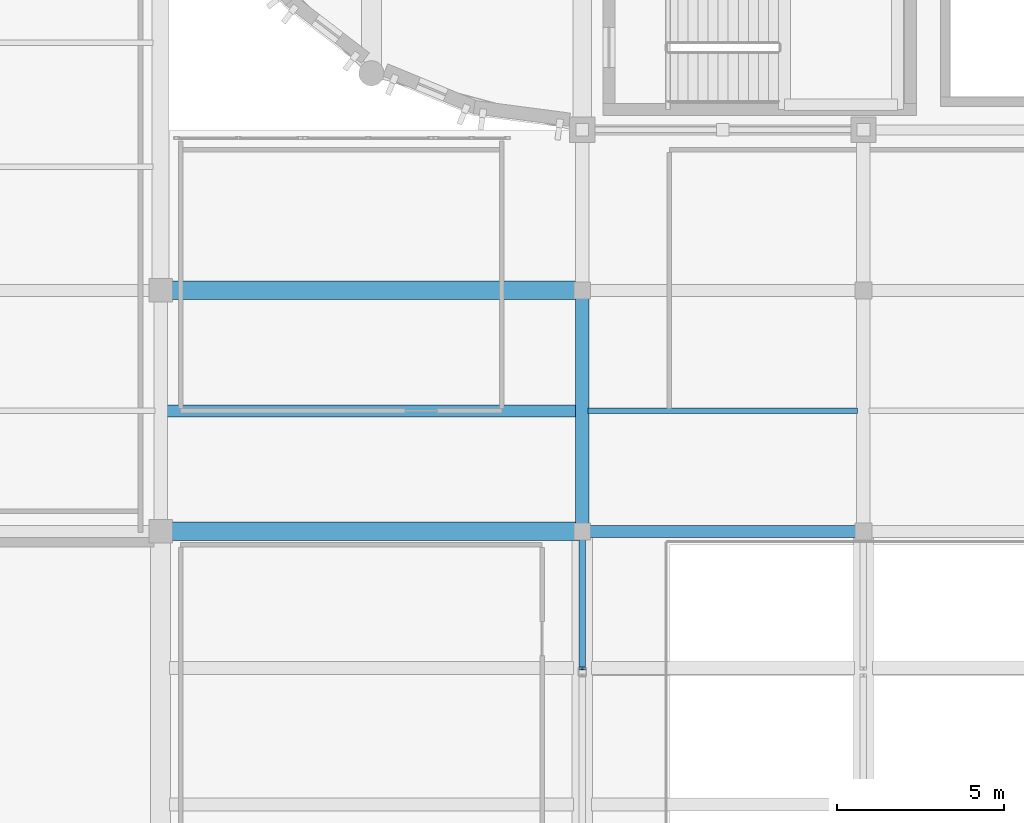
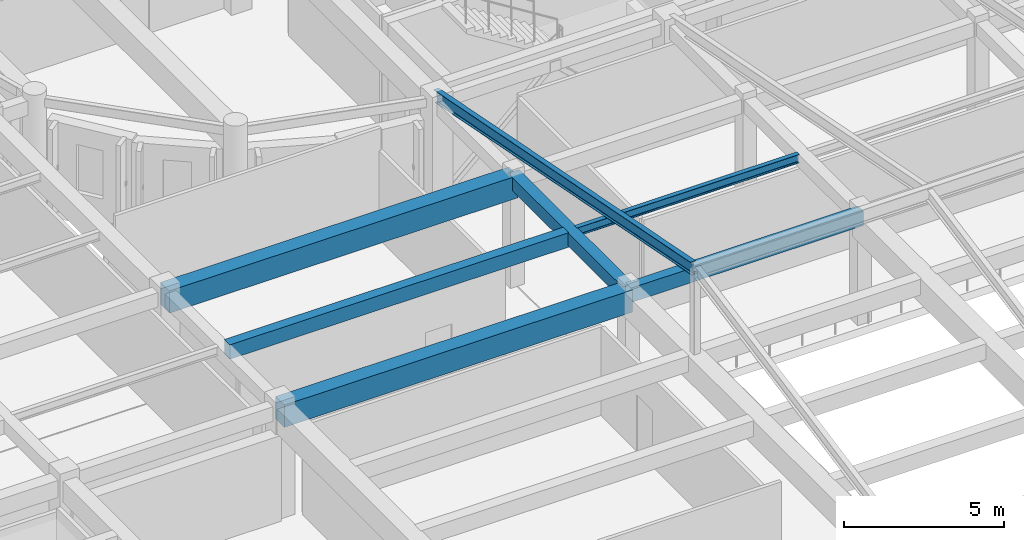
# One storey, part 36 of 91: 7 beams.
"""IFC4 building model written with IfcOpenShell, lengths in metres."""

from ifc_helpers import new_model, si_unit, direction, frame, origin, origin_2d, place, context, subcontext, project, spatial, rectangle, i_section, extrude, material, material_profile, profile_set, type_object, element, save


model = new_model("IFC4")

# Units and contexts
model_context = context("Model", 3, precision=1e-05, world=origin(), true_north=direction((0.0, 1.0)))
body_context = subcontext(model_context, "Body", "Model", "MODEL_VIEW")
ifc_project = project(units=[si_unit("LENGTHUNIT", "METRE"), si_unit("AREAUNIT", "SQUARE_METRE"), si_unit("VOLUMEUNIT", "CUBIC_METRE"), si_unit("PLANEANGLEUNIT", "RADIAN"), si_unit("MASSUNIT", "GRAM", prefix="KILO")], contexts=[model_context])

# Site, building, storey
site_placement = place(None, origin())
site = spatial("IfcSite", under=ifc_project, at=site_placement, CompositionType="ELEMENT")
building_placement = place(site_placement, origin())
building = spatial("IfcBuilding", under=site, at=building_placement, Name="Tarnavel Promenade Courthouse", CompositionType="ELEMENT")
storey_placement = place(building_placement, frame((0.0, 0.0, 9.89990234375)))
storey = spatial("IfcBuildingStorey", under=building, at=storey_placement, Name="L03", CompositionType="ELEMENT", Elevation=9.89990234375)

# Beams
ifc_material_1 = material(Name="Concrete C40/50", Category="concrete")
ifc_material_profile_1 = material_profile(ifc_material_1, rectangle(XDim=0.35009765625, YDim=0.550048828125, at=origin_2d()), Name="PT 350x550")
ifc_profile_set_1 = profile_set([ifc_material_profile_1], Name="Concrete C40/50")
beam_type_1 = type_object("IfcBeamType", Name="Concrete C40/50 BM-PT-350x550 (PT 350x550)", PredefinedType="JOIST", material=ifc_profile_set_1)
beam_1_placement = place(storey_placement, frame((46.3701171875, 70.800048828125, 3.97021484375), z_axis=(1.0, 0.0, 0.0), x_axis=(0.0, 1.0, 0.0)))
element("IfcBeam", 1, at=beam_1_placement, inside=storey, type_object=beam_type_1, Name="L03 Secondary Floor Rib 1852", PredefinedType="JOIST", context=body_context, shape_type="SweptSolid", body=[
    extrude(rectangle(XDim=0.35009765625, YDim=0.550048828125, at=origin_2d()), origin(), (0.0, 0.0, 1.0), 12.259765625),
])
ifc_material_profile_2 = material_profile(ifc_material_1, rectangle(XDim=0.550048828125, YDim=0.85009765625, at=origin_2d()), Name="PT 550x850")
ifc_profile_set_2 = profile_set([ifc_material_profile_2], Name="Concrete C40/50")
beam_type_2 = type_object("IfcBeamType", Name="Concrete C40/50 BM-PT-550x850 (PT 550x850)", PredefinedType="T_BEAM", material=ifc_profile_set_2)
for number, where, z_axis, x_axis, name in (
    (2, (46.199951171875, 67.199951171875, 3.820068359375), (1.0, 0.0, 0.0), (0.0, 1.0, 0.0), "L03 Primary Longitudinal Beam 1593"),
    (3, (46.199951171875, 74.39990234375, 3.820068359375), (1.0, 0.0, 0.0), (0.0, 1.0, 0.0), "L03 Primary Longitudinal Beam 1616"),
):
    element("IfcBeam", number, at=place(storey_placement, frame(where, z_axis=z_axis, x_axis=x_axis)), inside=storey, type_object=beam_type_2, Name=name, PredefinedType="T_BEAM", context=body_context, shape_type="SweptSolid", body=[
        extrude(rectangle(XDim=0.550048828125, YDim=0.85009765625, at=origin_2d()), origin(), (0.0, 0.0, 1.0), 12.60009765625),
    ])
ifc_material_profile_3 = material_profile(ifc_material_1, rectangle(XDim=0.35009765625, YDim=0.550048828125, at=origin_2d()), Name="RC 350x550")
ifc_profile_set_3 = profile_set([ifc_material_profile_3], Name="Concrete C40/50")
beam_type_3 = type_object("IfcBeamType", Name="Concrete C40/50 BM-RC-350x550 (RC 350x550)", PredefinedType="BEAM", material=ifc_profile_set_3)
beam_2_placement = place(storey_placement, frame((58.800048828125, 67.199951171875, 3.97021484375), z_axis=(1.0, 0.0, 0.0), x_axis=(0.0, 1.0, 0.0)))
element("IfcBeam", 4, at=beam_2_placement, inside=storey, type_object=beam_type_3, Name="L03 Primary Longitudinal Beam 1594", PredefinedType="BEAM", context=body_context, shape_type="SweptSolid", body=[
    extrude(rectangle(XDim=0.35009765625, YDim=0.550048828125, at=origin_2d()), origin(), (0.0, 0.0, 1.0), 8.39990234375),
])
ifc_material_profile_4 = material_profile(ifc_material_1, rectangle(XDim=0.39990234375, YDim=0.5, at=origin_2d()), Name="RC 400x500")
ifc_profile_set_4 = profile_set([ifc_material_profile_4], Name="Concrete C40/50")
beam_type_4 = type_object("IfcBeamType", Name="Concrete C40/50 BM-RC-400x500 (RC 400x500)", PredefinedType="BEAM", material=ifc_profile_set_4)
beam_3_placement = place(storey_placement, frame((58.800048828125, 67.199951171875, 3.9951171875), z_axis=(0.0, 1.0, 0.0), x_axis=(-1.0, 0.0, 0.0)))
element("IfcBeam", 5, at=beam_3_placement, inside=storey, type_object=beam_type_4, Name="L03 Transverse Girder 1739", PredefinedType="BEAM", context=body_context, shape_type="SweptSolid", body=[
    extrude(rectangle(XDim=0.39990234375, YDim=0.5, at=origin_2d()), origin(), (0.0, 0.0, 1.0), 7.199951171875),
])
ifc_material_2 = material(Name="Steel S355J2", Category="steel")
ifc_material_profile_5 = material_profile(ifc_material_2, i_section(OverallWidth=0.159912109375, OverallDepth=0.330078125, WebThickness=0.007568359375, FlangeThickness=0.011474609375, FilletRadius=0.01806640625, at=origin_2d()), Name="IPE 330")
ifc_profile_set_5 = profile_set([ifc_material_profile_5], Name="Steel S355J2")
beam_type_5 = type_object("IfcBeamType", Name="Steel S355J2 BM-ST-IPE330 (IPE 330)", PredefinedType="JOIST", material=ifc_profile_set_5)
beam_4_placement = place(storey_placement, frame((58.969970703125, 70.800048828125, 4.080078125), z_axis=(1.0, 0.0, 0.0), x_axis=(0.0, 1.0, 0.0)))
element("IfcBeam", 6, at=beam_4_placement, inside=storey, type_object=beam_type_5, Name="L03 Secondary Floor Rib 1853", PredefinedType="JOIST", context=body_context, shape_type="SweptSolid", body=[
    extrude(i_section(OverallWidth=0.159912109375, OverallDepth=0.330078125, WebThickness=0.007568359375, FlangeThickness=0.011474609375, FilletRadius=0.01806640625, at=origin_2d()), origin(), (0.0, 0.0, 1.0), 8.06005859375),
])
ifc_material_profile_6 = material_profile(ifc_material_2, i_section(OverallWidth=0.18994140625, OverallDepth=0.449951171875, WebThickness=0.009521484375, FlangeThickness=0.0146484375, FilletRadius=0.02099609375, at=origin_2d()), Name="IPE 450")
ifc_profile_set_6 = profile_set([ifc_material_profile_6], Name="Steel S355J2")
beam_type_6 = type_object("IfcBeamType", Name="Steel S355J2 BM-ST-IPE450 (IPE 450)", PredefinedType="BEAM", material=ifc_profile_set_6)
beam_5_placement = place(storey_placement, frame((58.800048828125, 63.10498046875, 7.400146484375), z_axis=(0.0, 0.981264451334, -0.192665711916), x_axis=(-1.0, 0.0, 0.0)))
element("IfcBeam", 7, at=beam_5_placement, inside=storey, type_object=beam_type_6, Name="Winter-Garden Roof Rafter North 58", PredefinedType="BEAM", context=body_context, shape_type="SweptSolid", body=[
    extrude(i_section(OverallWidth=0.18994140625, OverallDepth=0.449951171875, WebThickness=0.009521484375, FlangeThickness=0.0146484375, FilletRadius=0.02099609375, at=origin_2d()), origin(), (0.0, 0.0, 1.0), 16.40234375),
])

save(model, "model.ifc")
